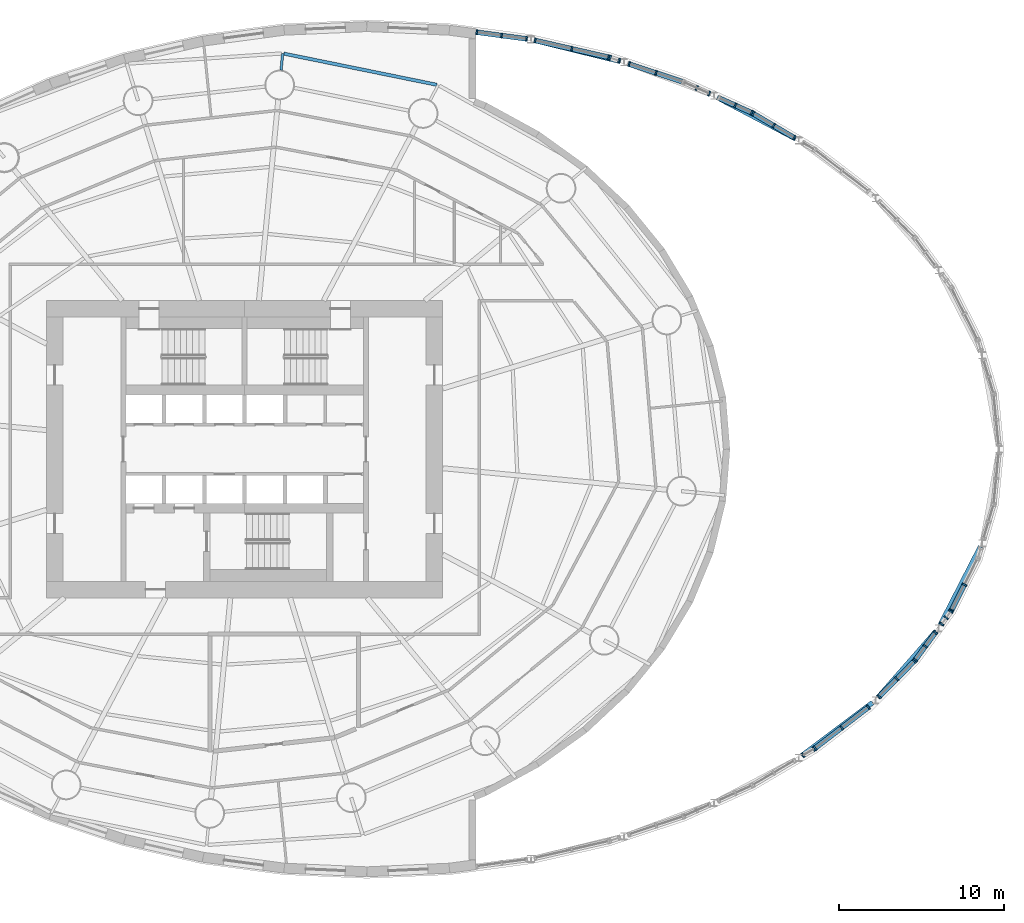
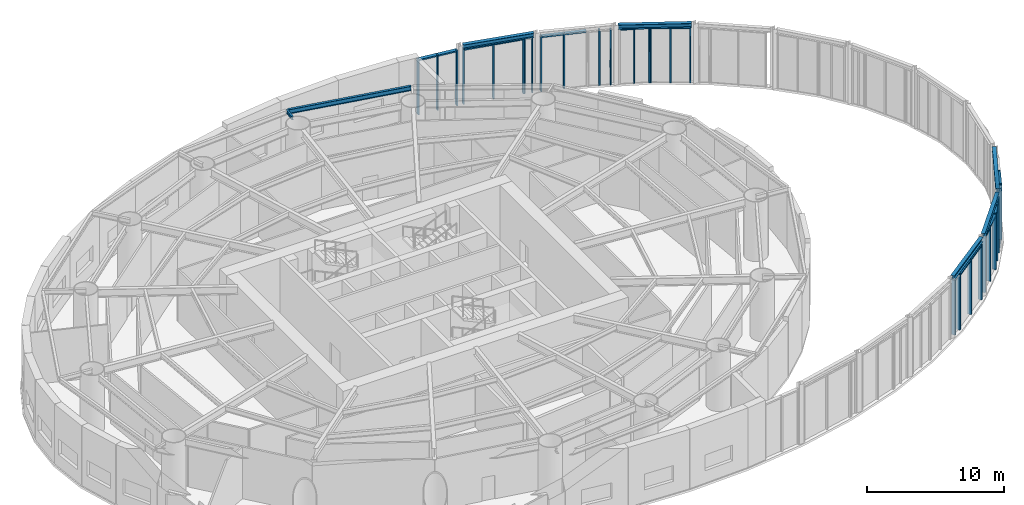
# One storey, part 7 of 19: 50 members, 7 beams, 13 elements without a shape of their own.
"""IFC4 building model written with IfcOpenShell, lengths in metres."""

from ifc_helpers import new_model, si_unit, direction, frame, origin, origin_2d, place, context, subcontext, project, spatial, rectangle, i_section, extrude, material, material_profile, profile_set, type_object, element, aggregate, save


model = new_model("IFC4")

# Units and contexts
model_context = context("Model", 3, precision=1e-05, world=origin(), true_north=direction((0.0, 1.0)))
body_context = subcontext(model_context, "Body", "Model", "MODEL_VIEW")
ifc_project = project(units=[si_unit("LENGTHUNIT", "METRE"), si_unit("AREAUNIT", "SQUARE_METRE"), si_unit("VOLUMEUNIT", "CUBIC_METRE"), si_unit("PLANEANGLEUNIT", "RADIAN"), si_unit("MASSUNIT", "GRAM", prefix="KILO")], contexts=[model_context])

# Site, building, storey
site_placement = place(None, origin())
site = spatial("IfcSite", under=ifc_project, at=site_placement, CompositionType="ELEMENT")
building_placement = place(site_placement, origin())
building = spatial("IfcBuilding", under=site, at=building_placement, Name="Vermilion Reach Broadcast Tower", CompositionType="ELEMENT")
storey_placement = place(building_placement, frame((0.0, 0.0, 26.0)))
storey = spatial("IfcBuildingStorey", under=building, at=storey_placement, Name="L03", CompositionType="ELEMENT", Elevation=26.0)

# Curtain wall, members
ifc_material_1 = material(Name="Low-e laminated clear glass in aluminium frame", Category="aluminium")
curtain_wall_type = type_object("IfcCurtainWallType", Name="Atrium outer wall curtain wall", PredefinedType="NOTDEFINED", material=ifc_material_1)
placement = place(storey_placement, origin())
curtain_wall_1 = element("IfcCurtainWall", 1, at=placement, inside=storey, type_object=curtain_wall_type, Name="Atrium wall L03 05-2", PredefinedType="NOTDEFINED")
ifc_material_2 = material(Name="Anodised aluminium", Category="aluminium")
ifc_material_profile_1 = material_profile(ifc_material_2, rectangle(XDim=0.300048828125, YDim=0.10009765625, at=origin_2d()), Name="Atrium outer wall mullion 100 x 300")
ifc_profile_set_1 = profile_set([ifc_material_profile_1], Name="Anodised aluminium")
member_type_1 = type_object("IfcMemberType", Name="Atrium outer wall mullion 100 x 300", PredefinedType="MULLION", material=ifc_profile_set_1)
member_1_placement = place(storey_placement, frame((27.849609375, -18.5361328125, 0.0), z_axis=(0.0, 0.0, 1.0), x_axis=(-0.508589622127, 0.861009057017, 0.0)))
member_1 = element("IfcMember", 2, at=member_1_placement, type_object=member_type_1, Name="Atrium wall mullion L03 05-2.1", PredefinedType="MULLION", context=body_context, shape_type="SweptSolid", body=[
    extrude(rectangle(XDim=0.300048828125, YDim=0.10009765625, at=origin_2d()), origin(), (0.0, 0.0, 1.0), 4.909912109375),
])
member_2_placement = place(storey_placement, frame((28.48388671875, -18.161376953125, 0.0), z_axis=(0.0, 0.0, 1.0), x_axis=(-0.508589622127, 0.861009057017, 0.0)))
member_2 = element("IfcMember", 3, at=member_2_placement, type_object=member_type_1, Name="Atrium wall mullion L03 05-2.2", PredefinedType="MULLION", context=body_context, shape_type="SweptSolid", body=[
    extrude(rectangle(XDim=0.300048828125, YDim=0.10009765625, at=origin_2d()), origin(), (0.0, 0.0, 1.0), 4.909912109375),
])
aggregate(curtain_wall_1, [member_1, member_2])

curtain_wall_2 = element("IfcCurtainWall", 4, at=placement, inside=storey, type_object=curtain_wall_type, Name="Atrium wall L03 06", PredefinedType="NOTDEFINED")
member_3_placement = place(storey_placement, frame((28.566650390625, -18.10546875, 0.0), z_axis=(0.0, 0.0, 1.0), x_axis=(-0.609113924113, 0.793082736826, 0.0)))
member_3 = element("IfcMember", 5, at=member_3_placement, type_object=member_type_1, Name="Atrium wall mullion L03 06.1", PredefinedType="MULLION", context=body_context, shape_type="SweptSolid", body=[
    extrude(rectangle(XDim=0.300048828125, YDim=0.10009765625, at=origin_2d()), origin(), (0.0, 0.0, 1.0), 4.909912109375),
])
member_4_placement = place(storey_placement, frame((30.17626953125, -16.869140625, 0.0), z_axis=(0.0, 0.0, 1.0), x_axis=(-0.609113924113, 0.793082736826, 0.0)))
member_4 = element("IfcMember", 6, at=member_4_placement, type_object=member_type_1, Name="Atrium wall mullion L03 06.2", PredefinedType="MULLION", context=body_context, shape_type="SweptSolid", body=[
    extrude(rectangle(XDim=0.300048828125, YDim=0.10009765625, at=origin_2d()), origin(), (0.0, 0.0, 1.0), 4.909912109375),
])
member_5_placement = place(storey_placement, frame((31.7861328125, -15.6328125, 0.0), z_axis=(0.0, 0.0, 1.0), x_axis=(-0.609113924113, 0.793082736826, 0.0)))
member_5 = element("IfcMember", 7, at=member_5_placement, type_object=member_type_1, Name="Atrium wall mullion L03 06.3", PredefinedType="MULLION", context=body_context, shape_type="SweptSolid", body=[
    extrude(rectangle(XDim=0.300048828125, YDim=0.10009765625, at=origin_2d()), origin(), (0.0, 0.0, 1.0), 4.909912109375),
])

curtain_wall_3 = element("IfcCurtainWall", 8, at=placement, inside=storey, type_object=curtain_wall_type, Name="Atrium wall L03 07", PredefinedType="NOTDEFINED")
member_6_placement = place(storey_placement, frame((32.43994140625, -14.983154296875, 0.0), z_axis=(0.0, 0.0, 1.0), x_axis=(-0.709925939614, 0.704276337997, 0.0)))
member_6 = element("IfcMember", 9, at=member_6_placement, type_object=member_type_1, Name="Atrium wall mullion L03 07.1", PredefinedType="MULLION", context=body_context, shape_type="SweptSolid", body=[
    extrude(rectangle(XDim=0.300048828125, YDim=0.10009765625, at=origin_2d()), origin(), (0.0, 0.0, 1.0), 4.909912109375),
])
member_7_placement = place(storey_placement, frame((33.5029296875, -13.911865234375, 0.0), z_axis=(0.0, 0.0, 1.0), x_axis=(-0.709925939614, 0.704276337997, 0.0)))
member_7 = element("IfcMember", 10, at=member_7_placement, type_object=member_type_1, Name="Atrium wall mullion L03 07.2", PredefinedType="MULLION", context=body_context, shape_type="SweptSolid", body=[
    extrude(rectangle(XDim=0.300048828125, YDim=0.10009765625, at=origin_2d()), origin(), (0.0, 0.0, 1.0), 4.909912109375),
])
member_8_placement = place(storey_placement, frame((34.56591796875, -12.84033203125, 0.0), z_axis=(0.0, 0.0, 1.0), x_axis=(-0.709925939614, 0.704276337997, 0.0)))
member_8 = element("IfcMember", 11, at=member_8_placement, type_object=member_type_1, Name="Atrium wall mullion L03 07.3", PredefinedType="MULLION", context=body_context, shape_type="SweptSolid", body=[
    extrude(rectangle(XDim=0.300048828125, YDim=0.10009765625, at=origin_2d()), origin(), (0.0, 0.0, 1.0), 4.909912109375),
])

curtain_wall_4 = element("IfcCurtainWall", 12, at=placement, inside=storey, type_object=curtain_wall_type, Name="Atrium wall L03 08-1", PredefinedType="NOTDEFINED")
member_9_placement = place(storey_placement, frame((34.630615234375, -12.764404296875, 0.0), z_axis=(0.0, 0.0, 1.0), x_axis=(-0.806847463604, 0.590759824697, 0.0)))
member_9 = element("IfcMember", 13, at=member_9_placement, type_object=member_type_1, Name="Atrium wall mullion L03 08-1.1", PredefinedType="MULLION", context=body_context, shape_type="SweptSolid", body=[
    extrude(rectangle(XDim=0.300048828125, YDim=0.10009765625, at=origin_2d()), origin(), (0.0, 0.0, 1.0), 4.909912109375),
])
member_10_placement = place(storey_placement, frame((35.236572265625, -11.936767578125, 0.0), z_axis=(0.0, 0.0, 1.0), x_axis=(-0.806847463604, 0.590759824697, 0.0)))
member_10 = element("IfcMember", 14, at=member_10_placement, type_object=member_type_1, Name="Atrium wall mullion L03 08-1.2", PredefinedType="MULLION", context=body_context, shape_type="SweptSolid", body=[
    extrude(rectangle(XDim=0.300048828125, YDim=0.10009765625, at=origin_2d()), origin(), (0.0, 0.0, 1.0), 4.909912109375),
])
member_11_placement = place(storey_placement, frame((35.8427734375, -11.109130859375, 0.0), z_axis=(0.0, 0.0, 1.0), x_axis=(-0.806847463604, 0.590759824697, 0.0)))
member_11 = element("IfcMember", 15, at=member_11_placement, type_object=member_type_1, Name="Atrium wall mullion L03 08-1.3", PredefinedType="MULLION", context=body_context, shape_type="SweptSolid", body=[
    extrude(rectangle(XDim=0.300048828125, YDim=0.10009765625, at=origin_2d()), origin(), (0.0, 0.0, 1.0), 4.909912109375),
])

curtain_wall_5 = element("IfcCurtainWall", 16, at=placement, inside=storey, type_object=curtain_wall_type, Name="Atrium wall L03 08-2", PredefinedType="NOTDEFINED")
member_12_placement = place(storey_placement, frame((36.2255859375, -10.586181640625, 0.0), z_axis=(0.0, 0.0, 1.0), x_axis=(-0.806847463604, 0.590759824697, 0.0)))
member_12 = element("IfcMember", 17, at=member_12_placement, type_object=member_type_1, Name="Atrium wall mullion L03 08-2.1", PredefinedType="MULLION", context=body_context, shape_type="SweptSolid", body=[
    extrude(rectangle(XDim=0.300048828125, YDim=0.10009765625, at=origin_2d()), origin(), (0.0, 0.0, 1.0), 4.909912109375),
])
member_13_placement = place(storey_placement, frame((36.501220703125, -10.209716796875, 0.0), z_axis=(0.0, 0.0, 1.0), x_axis=(-0.806847463604, 0.590759824697, 0.0)))
member_13 = element("IfcMember", 18, at=member_13_placement, type_object=member_type_1, Name="Atrium wall mullion L03 08-2.2", PredefinedType="MULLION", context=body_context, shape_type="SweptSolid", body=[
    extrude(rectangle(XDim=0.300048828125, YDim=0.10009765625, at=origin_2d()), origin(), (0.0, 0.0, 1.0), 4.909912109375),
])
member_14_placement = place(storey_placement, frame((36.777099609375, -9.8330078125, 0.0), z_axis=(0.0, 0.0, 1.0), x_axis=(-0.806847463604, 0.590759824697, 0.0)))
member_14 = element("IfcMember", 19, at=member_14_placement, type_object=member_type_1, Name="Atrium wall mullion L03 08-2.3", PredefinedType="MULLION", context=body_context, shape_type="SweptSolid", body=[
    extrude(rectangle(XDim=0.300048828125, YDim=0.10009765625, at=origin_2d()), origin(), (0.0, 0.0, 1.0), 4.909912109375),
])
aggregate(curtain_wall_5, [member_12, member_13, member_14])

curtain_wall_6 = element("IfcCurtainWall", 20, at=placement, inside=storey, type_object=curtain_wall_type, Name="Atrium wall L03 09", PredefinedType="NOTDEFINED")
member_15_placement = place(storey_placement, frame((36.8291015625, -9.748046875, 0.0), z_axis=(0.0, 0.0, 1.0), x_axis=(-0.892992378986, 0.450071784356, 0.0)))
member_15 = element("IfcMember", 21, at=member_15_placement, type_object=member_type_1, Name="Atrium wall mullion L03 09.1", PredefinedType="MULLION", context=body_context, shape_type="SweptSolid", body=[
    extrude(rectangle(XDim=0.300048828125, YDim=0.10009765625, at=origin_2d()), origin(), (0.0, 0.0, 1.0), 4.909912109375),
])
member_16_placement = place(storey_placement, frame((37.6064453125, -8.20556640625, 0.0), z_axis=(0.0, 0.0, 1.0), x_axis=(-0.892992378986, 0.450071784356, 0.0)))
member_16 = element("IfcMember", 22, at=member_16_placement, type_object=member_type_1, Name="Atrium wall mullion L03 09.2", PredefinedType="MULLION", context=body_context, shape_type="SweptSolid", body=[
    extrude(rectangle(XDim=0.300048828125, YDim=0.10009765625, at=origin_2d()), origin(), (0.0, 0.0, 1.0), 4.909912109375),
])

curtain_wall_7 = element("IfcCurtainWall", 23, at=placement, inside=storey, type_object=curtain_wall_type, Name="Atrium wall L03 18-2", PredefinedType="NOTDEFINED")
member_17_placement = place(storey_placement, frame((27.291748046875, 18.86572265625, 0.0), z_axis=(0.0, 0.0, 1.0), x_axis=(-0.508589622127, -0.861009057017, 0.0)))
member_17 = element("IfcMember", 24, at=member_17_placement, type_object=member_type_1, Name="Atrium wall mullion L03 18-2.1", PredefinedType="MULLION", context=body_context, shape_type="SweptSolid", body=[
    extrude(rectangle(XDim=0.300048828125, YDim=0.10009765625, at=origin_2d()), origin(), (0.0, 0.0, 1.0), 4.909912109375),
])
member_18_placement = place(storey_placement, frame((26.0478515625, 19.6005859375, 0.0), z_axis=(0.0, 0.0, 1.0), x_axis=(-0.508589622127, -0.861009057017, 0.0)))
member_18 = element("IfcMember", 25, at=member_18_placement, type_object=member_type_1, Name="Atrium wall mullion L03 18-2.2", PredefinedType="MULLION", context=body_context, shape_type="SweptSolid", body=[
    extrude(rectangle(XDim=0.300048828125, YDim=0.10009765625, at=origin_2d()), origin(), (0.0, 0.0, 1.0), 4.909912109375),
])
member_19_placement = place(storey_placement, frame((24.8037109375, 20.33544921875, 0.0), z_axis=(0.0, 0.0, 1.0), x_axis=(-0.508589622127, -0.861009057017, 0.0)))
member_19 = element("IfcMember", 26, at=member_19_placement, type_object=member_type_1, Name="Atrium wall mullion L03 18-2.3", PredefinedType="MULLION", context=body_context, shape_type="SweptSolid", body=[
    extrude(rectangle(XDim=0.300048828125, YDim=0.10009765625, at=origin_2d()), origin(), (0.0, 0.0, 1.0), 4.909912109375),
])

curtain_wall_8 = element("IfcCurtainWall", 27, at=placement, inside=storey, type_object=curtain_wall_type, Name="Atrium wall L03 19-1", PredefinedType="NOTDEFINED")
member_20_placement = place(storey_placement, frame((24.715087890625, 20.38134765625, 0.0), z_axis=(0.0, 0.0, 1.0), x_axis=(-0.410407876277, -0.911902064418, 0.0)))
member_20 = element("IfcMember", 28, at=member_20_placement, type_object=member_type_1, Name="Atrium wall mullion L03 19-1.1", PredefinedType="MULLION", context=body_context, shape_type="SweptSolid", body=[
    extrude(rectangle(XDim=0.300048828125, YDim=0.10009765625, at=origin_2d()), origin(), (0.0, 0.0, 1.0), 4.909912109375),
])
member_21_placement = place(storey_placement, frame((23.720947265625, 20.82861328125, 0.0), z_axis=(0.0, 0.0, 1.0), x_axis=(-0.410407876277, -0.911902064418, 0.0)))
member_21 = element("IfcMember", 29, at=member_21_placement, type_object=member_type_1, Name="Atrium wall mullion L03 19-1.2", PredefinedType="MULLION", context=body_context, shape_type="SweptSolid", body=[
    extrude(rectangle(XDim=0.300048828125, YDim=0.10009765625, at=origin_2d()), origin(), (0.0, 0.0, 1.0), 4.909912109375),
])

curtain_wall_9 = element("IfcCurtainWall", 30, at=placement, inside=storey, type_object=curtain_wall_type, Name="Atrium wall L03 19-2", PredefinedType="NOTDEFINED")
member_22_placement = place(storey_placement, frame((22.1357421875, 21.5419921875, 0.0), z_axis=(0.0, 0.0, 1.0), x_axis=(-0.410407876277, -0.911902064418, 0.0)))
member_22 = element("IfcMember", 31, at=member_22_placement, type_object=member_type_1, Name="Atrium wall mullion L03 19-2.1", PredefinedType="MULLION", context=body_context, shape_type="SweptSolid", body=[
    extrude(rectangle(XDim=0.300048828125, YDim=0.10009765625, at=origin_2d()), origin(), (0.0, 0.0, 1.0), 4.909912109375),
])
member_23_placement = place(storey_placement, frame((21.386474609375, 21.87939453125, 0.0), z_axis=(0.0, 0.0, 1.0), x_axis=(-0.410407876277, -0.911902064418, 0.0)))
member_23 = element("IfcMember", 32, at=member_23_placement, type_object=member_type_1, Name="Atrium wall mullion L03 19-2.2", PredefinedType="MULLION", context=body_context, shape_type="SweptSolid", body=[
    extrude(rectangle(XDim=0.300048828125, YDim=0.10009765625, at=origin_2d()), origin(), (0.0, 0.0, 1.0), 4.909912109375),
])
aggregate(curtain_wall_9, [member_22, member_23])

curtain_wall_10 = element("IfcCurtainWall", 33, at=placement, inside=storey, type_object=curtain_wall_type, Name="Atrium wall L03 20-1", PredefinedType="NOTDEFINED")
member_24_placement = place(storey_placement, frame((18.91796875, 22.79296875, 0.0), z_axis=(0.0, 0.0, 1.0), x_axis=(-0.315228098746, -0.949015935462, 0.0)))
member_24 = element("IfcMember", 34, at=member_24_placement, type_object=member_type_1, Name="Atrium wall mullion L03 20-1.2", PredefinedType="MULLION", context=body_context, shape_type="SweptSolid", body=[
    extrude(rectangle(XDim=0.300048828125, YDim=0.10009765625, at=origin_2d()), origin(), (0.0, 0.0, 1.0), 4.909912109375),
])
member_25_placement = place(storey_placement, frame((17.2919921875, 23.3330078125, 0.0), z_axis=(0.0, 0.0, 1.0), x_axis=(-0.315228098746, -0.949015935462, 0.0)))
member_25 = element("IfcMember", 35, at=member_25_placement, type_object=member_type_1, Name="Atrium wall mullion L03 20-1.3", PredefinedType="MULLION", context=body_context, shape_type="SweptSolid", body=[
    extrude(rectangle(XDim=0.300048828125, YDim=0.10009765625, at=origin_2d()), origin(), (0.0, 0.0, 1.0), 4.909912109375),
])

curtain_wall_11 = element("IfcCurtainWall", 36, at=placement, inside=storey, type_object=curtain_wall_type, Name="Atrium wall L03 20-2", PredefinedType="NOTDEFINED")
member_26_placement = place(storey_placement, frame((16.67724609375, 23.537353515625, 0.0), z_axis=(0.0, 0.0, 1.0), x_axis=(-0.315228098746, -0.949015935462, 0.0)))
member_26 = element("IfcMember", 37, at=member_26_placement, type_object=member_type_1, Name="Atrium wall mullion L03 20-2.1", PredefinedType="MULLION", context=body_context, shape_type="SweptSolid", body=[
    extrude(rectangle(XDim=0.300048828125, YDim=0.10009765625, at=origin_2d()), origin(), (0.0, 0.0, 1.0), 4.909912109375),
])
member_27_placement = place(storey_placement, frame((16.138427734375, 23.71630859375, 0.0), z_axis=(0.0, 0.0, 1.0), x_axis=(-0.315228098746, -0.949015935462, 0.0)))
member_27 = element("IfcMember", 38, at=member_27_placement, type_object=member_type_1, Name="Atrium wall mullion L03 20-2.2", PredefinedType="MULLION", context=body_context, shape_type="SweptSolid", body=[
    extrude(rectangle(XDim=0.300048828125, YDim=0.10009765625, at=origin_2d()), origin(), (0.0, 0.0, 1.0), 4.909912109375),
])
aggregate(curtain_wall_11, [member_26, member_27])

curtain_wall_12 = element("IfcCurtainWall", 39, at=placement, inside=storey, type_object=curtain_wall_type, Name="Atrium wall L03 21", PredefinedType="NOTDEFINED")
member_28_placement = place(storey_placement, frame((16.042236328125, 23.7431640625, 0.0), z_axis=(0.0, 0.0, 1.0), x_axis=(-0.222891523278, -0.974843253478, 0.0)))
member_28 = element("IfcMember", 40, at=member_28_placement, type_object=member_type_1, Name="Atrium wall mullion L03 21.1", PredefinedType="MULLION", context=body_context, shape_type="SweptSolid", body=[
    extrude(rectangle(XDim=0.300048828125, YDim=0.10009765625, at=origin_2d()), origin(), (0.0, 0.0, 1.0), 4.909912109375),
])
member_29_placement = place(storey_placement, frame((13.818359375, 24.251708984375, 0.0), z_axis=(0.0, 0.0, 1.0), x_axis=(-0.222891523278, -0.974843253478, 0.0)))
member_29 = element("IfcMember", 41, at=member_29_placement, type_object=member_type_1, Name="Atrium wall mullion L03 21.2", PredefinedType="MULLION", context=body_context, shape_type="SweptSolid", body=[
    extrude(rectangle(XDim=0.300048828125, YDim=0.10009765625, at=origin_2d()), origin(), (0.0, 0.0, 1.0), 4.909912109375),
])
member_30_placement = place(storey_placement, frame((11.594482421875, 24.760009765625, 0.0), z_axis=(0.0, 0.0, 1.0), x_axis=(-0.222891523278, -0.974843253478, 0.0)))
member_30 = element("IfcMember", 42, at=member_30_placement, type_object=member_type_1, Name="Atrium wall mullion L03 21.3", PredefinedType="MULLION", context=body_context, shape_type="SweptSolid", body=[
    extrude(rectangle(XDim=0.300048828125, YDim=0.10009765625, at=origin_2d()), origin(), (0.0, 0.0, 1.0), 4.909912109375),
])

curtain_wall_13 = element("IfcCurtainWall", 43, at=placement, inside=storey, type_object=curtain_wall_type, Name="Atrium wall L03 22", PredefinedType="NOTDEFINED")
member_31_placement = place(storey_placement, frame((11.075439453125, 24.85400390625, 0.0), z_axis=(0.0, 0.0, 1.0), x_axis=(-0.132793713723, -0.991143697753, 0.0)))
member_31 = element("IfcMember", 44, at=member_31_placement, type_object=member_type_1, Name="Atrium wall mullion L03 22.1", PredefinedType="MULLION", context=body_context, shape_type="SweptSolid", body=[
    extrude(rectangle(XDim=0.300048828125, YDim=0.10009765625, at=origin_2d()), origin(), (0.0, 0.0, 1.0), 4.909912109375),
])
member_32_placement = place(storey_placement, frame((9.569091796875, 25.055908203125, 0.0), z_axis=(0.0, 0.0, 1.0), x_axis=(-0.132793713723, -0.991143697753, 0.0)))
member_32 = element("IfcMember", 45, at=member_32_placement, type_object=member_type_1, Name="Atrium wall mullion L03 22.2", PredefinedType="MULLION", context=body_context, shape_type="SweptSolid", body=[
    extrude(rectangle(XDim=0.300048828125, YDim=0.10009765625, at=origin_2d()), origin(), (0.0, 0.0, 1.0), 4.909912109375),
])
member_33_placement = place(storey_placement, frame((8.062744140625, 25.257568359375, 0.0), z_axis=(0.0, 0.0, 1.0), x_axis=(-0.132793713723, -0.991143697753, 0.0)))
member_33 = element("IfcMember", 46, at=member_33_placement, type_object=member_type_1, Name="Atrium wall mullion L03 22.3", PredefinedType="MULLION", context=body_context, shape_type="SweptSolid", body=[
    extrude(rectangle(XDim=0.300048828125, YDim=0.10009765625, at=origin_2d()), origin(), (0.0, 0.0, 1.0), 4.909912109375),
])

# Member
ifc_material_3 = material(Name="Anodised aluminium", Category="aluminium")
ifc_material_profile_2 = material_profile(ifc_material_3, rectangle(XDim=0.300048828125, YDim=0.1201171875, at=origin_2d()), Name="Atrium outer wall transom 300 x 120")
ifc_profile_set_2 = profile_set([ifc_material_profile_2], Name="Anodised aluminium")
member_type_2 = type_object("IfcMemberType", Name="Atrium outer wall transom 300 x 120", PredefinedType="USERDEFINED", material=ifc_profile_set_2)
member_34_placement = place(storey_placement, frame((28.606201171875, -18.0751953125, 4.85009765625), z_axis=(0.79307054721, 0.609129794993, 0.0), x_axis=(-0.609129794993, 0.79307054721, 0.0)))
member_34 = element("IfcMember", 47, at=member_34_placement, type_object=member_type_2, Name="Atrium wall transom L03 06.1.2", ObjectType="TRANSOM", PredefinedType="USERDEFINED", context=body_context, shape_type="SweptSolid", body=[
    extrude(rectangle(XDim=0.300048828125, YDim=0.1201171875, at=origin_2d()), origin(), (0.0, 0.0, 1.0), 1.929931640625),
])

member_35_placement = place(storey_placement, frame((30.216064453125, -16.8388671875, 4.85009765625), z_axis=(0.79307054721, 0.609129794993, 0.0), x_axis=(-0.609129794993, 0.79307054721, 0.0)))
member_35 = element("IfcMember", 48, at=member_35_placement, type_object=member_type_2, Name="Atrium wall transom L03 06.2.2", ObjectType="TRANSOM", PredefinedType="USERDEFINED", context=body_context, shape_type="SweptSolid", body=[
    extrude(rectangle(XDim=0.300048828125, YDim=0.1201171875, at=origin_2d()), origin(), (0.0, 0.0, 1.0), 1.929931640625),
])

aggregate(curtain_wall_2, [member_3, member_4, member_5, member_34, member_35])

member_36_placement = place(storey_placement, frame((32.475341796875, -14.94775390625, 4.85009765625), z_axis=(0.704242454473, 0.709959551889, 0.0), x_axis=(-0.709959551889, 0.704242454473, 0.0)))
member_36 = element("IfcMember", 49, at=member_36_placement, type_object=member_type_2, Name="Atrium wall transom L03 07.1.2", ObjectType="TRANSOM", PredefinedType="USERDEFINED", context=body_context, shape_type="SweptSolid", body=[
    extrude(rectangle(XDim=0.300048828125, YDim=0.1201171875, at=origin_2d()), origin(), (0.0, 0.0, 1.0), 1.4091796875),
])

member_37_placement = place(storey_placement, frame((33.5380859375, -13.876220703125, 4.85009765625), z_axis=(0.704329761537, 0.709872937231, 0.0), x_axis=(-0.709872937231, 0.704329761537, 0.0)))
member_37 = element("IfcMember", 50, at=member_37_placement, type_object=member_type_2, Name="Atrium wall transom L03 07.2.2", ObjectType="TRANSOM", PredefinedType="USERDEFINED", context=body_context, shape_type="SweptSolid", body=[
    extrude(rectangle(XDim=0.300048828125, YDim=0.1201171875, at=origin_2d()), origin(), (0.0, 0.0, 1.0), 1.409423828125),
])

aggregate(curtain_wall_3, [member_6, member_7, member_8, member_36, member_37])

member_38_placement = place(storey_placement, frame((34.66015625, -12.72412109375, 4.85009765625), z_axis=(0.590677537, 0.806907706794, 0.0), x_axis=(-0.806907706794, 0.590677537, 0.0)))
member_38 = element("IfcMember", 51, at=member_38_placement, type_object=member_type_2, Name="Atrium wall transom L03 08-1.1.2", ObjectType="TRANSOM", PredefinedType="USERDEFINED", context=body_context, shape_type="SweptSolid", body=[
    extrude(rectangle(XDim=0.300048828125, YDim=0.1201171875, at=origin_2d()), origin(), (0.0, 0.0, 1.0), 0.92578125),
])

member_39_placement = place(storey_placement, frame((35.26611328125, -11.896484375, 4.85009765625), z_axis=(0.590849188932, 0.806782025047, 0.0), x_axis=(-0.806782025047, 0.590849188932, 0.0)))
member_39 = element("IfcMember", 52, at=member_39_placement, type_object=member_type_2, Name="Atrium wall transom L03 08-1.2.2", ObjectType="TRANSOM", PredefinedType="USERDEFINED", context=body_context, shape_type="SweptSolid", body=[
    extrude(rectangle(XDim=0.300048828125, YDim=0.1201171875, at=origin_2d()), origin(), (0.0, 0.0, 1.0), 0.926025390625),
])

aggregate(curtain_wall_4, [member_9, member_10, member_11, member_38, member_39])

member_40_placement = place(storey_placement, frame((36.8515625, -9.703369140625, 4.85009765625), z_axis=(0.450091864122, 0.892982258419, 0.0), x_axis=(-0.892982258419, 0.450091864122, 0.0)))
member_40 = element("IfcMember", 53, at=member_40_placement, type_object=member_type_2, Name="Atrium wall transom L03 09.1.2", ObjectType="TRANSOM", PredefinedType="USERDEFINED", context=body_context, shape_type="SweptSolid", body=[
    extrude(rectangle(XDim=0.300048828125, YDim=0.1201171875, at=origin_2d()), origin(), (0.0, 0.0, 1.0), 1.627197265625),
])

aggregate(curtain_wall_6, [member_15, member_16, member_40])

member_41_placement = place(storey_placement, frame((27.248779296875, 18.89111328125, 4.85009765625), z_axis=(-0.861060223376, 0.508502990866, 0.0), x_axis=(-0.508502990866, -0.861060223376, 0.0)))
member_41 = element("IfcMember", 54, at=member_41_placement, type_object=member_type_2, Name="Atrium wall transom L03 18-2.1.2", ObjectType="TRANSOM", PredefinedType="USERDEFINED", context=body_context, shape_type="SweptSolid", body=[
    extrude(rectangle(XDim=0.300048828125, YDim=0.1201171875, at=origin_2d()), origin(), (0.0, 0.0, 1.0), 1.3447265625),
])

member_42_placement = place(storey_placement, frame((26.004638671875, 19.6259765625, 4.85009765625), z_axis=(-0.861060223376, 0.508502990866, 0.0), x_axis=(-0.508502990866, -0.861060223376, 0.0)))
member_42 = element("IfcMember", 55, at=member_42_placement, type_object=member_type_2, Name="Atrium wall transom L03 18-2.2.2", ObjectType="TRANSOM", PredefinedType="USERDEFINED", context=body_context, shape_type="SweptSolid", body=[
    extrude(rectangle(XDim=0.300048828125, YDim=0.1201171875, at=origin_2d()), origin(), (0.0, 0.0, 1.0), 1.3447265625),
])

aggregate(curtain_wall_7, [member_17, member_18, member_19, member_41, member_42])

member_43_placement = place(storey_placement, frame((24.66943359375, 20.40185546875, 4.85009765625), z_axis=(-0.911972242519, 0.410251909044, 0.0), x_axis=(-0.410251909044, -0.911972242519, 0.0)))
member_43 = element("IfcMember", 56, at=member_43_placement, type_object=member_type_2, Name="Atrium wall transom L03 19-1.1.2", ObjectType="TRANSOM", PredefinedType="USERDEFINED", context=body_context, shape_type="SweptSolid", body=[
    extrude(rectangle(XDim=0.300048828125, YDim=0.1201171875, at=origin_2d()), origin(), (0.0, 0.0, 1.0), 0.990234375),
])

member_44_placement = place(storey_placement, frame((23.67529296875, 20.84912109375, 4.85009765625), z_axis=(-0.911879986632, 0.410456928289, 0.0), x_axis=(-0.410456928289, -0.911879986632, 0.0)))
member_44 = element("IfcMember", 57, at=member_44_placement, type_object=member_type_2, Name="Atrium wall transom L03 19-1.2.2", ObjectType="TRANSOM", PredefinedType="USERDEFINED", context=body_context, shape_type="SweptSolid", body=[
    extrude(rectangle(XDim=0.300048828125, YDim=0.1201171875, at=origin_2d()), origin(), (0.0, 0.0, 1.0), 0.990234375),
])

aggregate(curtain_wall_8, [member_20, member_21, member_43, member_44])

member_45_placement = place(storey_placement, frame((20.49658203125, 22.2685546875, 4.85009765625), z_axis=(-0.949015707131, 0.315228786151, 0.0), x_axis=(-0.315228786151, -0.949015707131, 0.0)))
member_45 = element("IfcMember", 58, at=member_45_placement, type_object=member_type_2, Name="Atrium wall transom L03 20-1.1.2", ObjectType="TRANSOM", PredefinedType="USERDEFINED", context=body_context, shape_type="SweptSolid", body=[
    extrude(rectangle(XDim=0.300048828125, YDim=0.1201171875, at=origin_2d()), origin(), (0.0, 0.0, 1.0), 1.61328125),
])

member_46_placement = place(storey_placement, frame((18.87060546875, 22.808837890625, 4.85009765625), z_axis=(-0.949015707131, 0.315228786151, 0.0), x_axis=(-0.315228786151, -0.949015707131, 0.0)))
member_46 = element("IfcMember", 59, at=member_46_placement, type_object=member_type_2, Name="Atrium wall transom L03 20-1.2.2", ObjectType="TRANSOM", PredefinedType="USERDEFINED", context=body_context, shape_type="SweptSolid", body=[
    extrude(rectangle(XDim=0.300048828125, YDim=0.1201171875, at=origin_2d()), origin(), (0.0, 0.0, 1.0), 1.61328125),
])

aggregate(curtain_wall_10, [member_24, member_25, member_45, member_46])

member_47_placement = place(storey_placement, frame((15.99365234375, 23.75439453125, 4.85009765625), z_axis=(-0.97485503326, 0.222839996696, 0.0), x_axis=(-0.222839996696, -0.97485503326, 0.0)))
member_47 = element("IfcMember", 60, at=member_47_placement, type_object=member_type_2, Name="Atrium wall transom L03 21.1.2", ObjectType="TRANSOM", PredefinedType="USERDEFINED", context=body_context, shape_type="SweptSolid", body=[
    extrude(rectangle(XDim=0.300048828125, YDim=0.1201171875, at=origin_2d()), origin(), (0.0, 0.0, 1.0), 2.181396484375),
])

member_48_placement = place(storey_placement, frame((13.769775390625, 24.2626953125, 4.85009765625), z_axis=(-0.97483071414, 0.222946358504, 0.0), x_axis=(-0.222946358504, -0.97483071414, 0.0)))
member_48 = element("IfcMember", 61, at=member_48_placement, type_object=member_type_2, Name="Atrium wall transom L03 21.2.2", ObjectType="TRANSOM", PredefinedType="USERDEFINED", context=body_context, shape_type="SweptSolid", body=[
    extrude(rectangle(XDim=0.300048828125, YDim=0.1201171875, at=origin_2d()), origin(), (0.0, 0.0, 1.0), 2.181396484375),
])

aggregate(curtain_wall_12, [member_28, member_29, member_30, member_47, member_48])

member_49_placement = place(storey_placement, frame((11.02587890625, 24.860595703125, 4.85009765625), z_axis=(-0.991149634463, 0.132749395872, 0.0), x_axis=(-0.132749395872, -0.991149634463, 0.0)))
member_49 = element("IfcMember", 62, at=member_49_placement, type_object=member_type_2, Name="Atrium wall transom L03 22.1.2", ObjectType="TRANSOM", PredefinedType="USERDEFINED", context=body_context, shape_type="SweptSolid", body=[
    extrude(rectangle(XDim=0.300048828125, YDim=0.1201171875, at=origin_2d()), origin(), (0.0, 0.0, 1.0), 1.419677734375),
])

member_50_placement = place(storey_placement, frame((9.51953125, 25.0625, 4.85009765625), z_axis=(-0.991149634463, 0.132749395872, 0.0), x_axis=(-0.132749395872, -0.991149634463, 0.0)))
member_50 = element("IfcMember", 63, at=member_50_placement, type_object=member_type_2, Name="Atrium wall transom L03 22.2.2", ObjectType="TRANSOM", PredefinedType="USERDEFINED", context=body_context, shape_type="SweptSolid", body=[
    extrude(rectangle(XDim=0.300048828125, YDim=0.1201171875, at=origin_2d()), origin(), (0.0, 0.0, 1.0), 1.419677734375),
])

aggregate(curtain_wall_13, [member_31, member_32, member_33, member_49, member_50])

# Beams
ifc_material_4 = material(Name="Steel S355J2", Category="steel")
ifc_material_profile_3 = material_profile(ifc_material_4, i_section(OverallWidth=0.199951171875, OverallDepth=0.39990234375, WebThickness=0.008056640625, FlangeThickness=0.012939453125, at=origin_2d()), Name="S355J2 HN 400x200x8x13")
ifc_profile_set_3 = profile_set([ifc_material_profile_3], Name="Steel S355J2")
beam_type_1 = type_object("IfcBeamType", Name="EB1 HN 400x200x8x13", PredefinedType="BEAM", material=ifc_profile_set_3)
beam_1_placement = place(storey_placement, frame((5.64697265625, 22.07373046875, 5.10009765625), z_axis=(-0.979888700242, 0.199544819871, 0.0), x_axis=(-0.199544819871, -0.979888700242, 0.0)))
element("IfcBeam", 64, at=beam_1_placement, inside=storey, type_object=beam_type_1, Name="Edge beam EB1-03", PredefinedType="BEAM", context=body_context, shape_type="SweptSolid", body=[
    extrude(i_section(OverallWidth=0.199951171875, OverallDepth=0.39990234375, WebThickness=0.008056640625, FlangeThickness=0.012939453125, at=origin_2d()), origin(), (0.0, 0.0, 1.0), 9.458740234375),
])
ifc_material_5 = material(Name="Steel S355J2", Category="steel")
ifc_material_profile_4 = material_profile(ifc_material_5, i_section(OverallWidth=0.14990234375, OverallDepth=0.300048828125, WebThickness=0.006591796875, FlangeThickness=0.009033203125, at=origin_2d()), Name="S355J2 HN 300x150x6.5x9")
ifc_profile_set_4 = profile_set([ifc_material_profile_4], Name="Steel S355J2")
beam_type_2 = type_object("IfcBeamType", Name="GS1 HN 300x150x6.5x9", PredefinedType="BEAM", material=ifc_profile_set_4)
beam_2_placement = place(storey_placement, frame((-3.793212890625, 22.959716796875, 5.14990234375), z_axis=(0.095621304963, 0.99541778467, 0.0), x_axis=(-0.99541778467, 0.095621304963, 0.0)))
element("IfcBeam", 65, at=beam_2_placement, inside=storey, type_object=beam_type_2, Name="Cantilever stub GS1-04", PredefinedType="BEAM", context=body_context, shape_type="SweptSolid", body=[
    extrude(i_section(OverallWidth=0.14990234375, OverallDepth=0.300048828125, WebThickness=0.006591796875, FlangeThickness=0.009033203125, at=origin_2d()), origin(), (0.0, 0.0, 1.0), 1.021240234375),
])
ifc_material_6 = material(Name="Steel S355J2", Category="steel")
ifc_material_profile_5 = material_profile(ifc_material_6, i_section(OverallWidth=0.300048828125, OverallDepth=0.389892578125, WebThickness=0.010009765625, FlangeThickness=0.01611328125, at=origin_2d()), Name="S355J2 HM 390x300x10x16")
ifc_profile_set_5 = profile_set([ifc_material_profile_5], Name="Steel S355J2")
beam_type_3 = type_object("IfcBeamType", Name="RM1 HM 390x300x10x16", PredefinedType="BEAM", material=ifc_profile_set_5)
beam_3_placement = place(storey_placement, frame((27.74658203125, -18.568603515625, 5.10498046875), z_axis=(0.799426308376, 0.600764161278, 0.0), x_axis=(-0.600764161278, 0.799426308376, 0.0)))
element("IfcBeam", 66, at=beam_3_placement, inside=storey, type_object=beam_type_3, Name="Rim beam AP04-AP05", PredefinedType="BEAM", context=body_context, shape_type="SweptSolid", body=[
    extrude(i_section(OverallWidth=0.300048828125, OverallDepth=0.389892578125, WebThickness=0.010009765625, FlangeThickness=0.01611328125, at=origin_2d()), origin(), (0.0, 0.0, 1.0), 5.365478515625),
])
beam_4_placement = place(storey_placement, frame((32.356689453125, -15.047607421875, 5.10498046875), z_axis=(0.658704425983, 0.752401807009, 0.0), x_axis=(-0.752401807009, 0.658704425983, 0.0)))
element("IfcBeam", 67, at=beam_4_placement, inside=storey, type_object=beam_type_3, Name="Rim beam AP05-AP06", PredefinedType="BEAM", context=body_context, shape_type="SweptSolid", body=[
    extrude(i_section(OverallWidth=0.300048828125, OverallDepth=0.389892578125, WebThickness=0.010009765625, FlangeThickness=0.01611328125, at=origin_2d()), origin(), (0.0, 0.0, 1.0), 5.3623046875),
])
beam_5_placement = place(storey_placement, frame((36.13427734375, -10.65185546875, 5.10498046875), z_axis=(0.456870131235, 0.889533407571, 0.0), x_axis=(-0.889533407571, 0.456870131235, 0.0)))
element("IfcBeam", 68, at=beam_5_placement, inside=storey, type_object=beam_type_3, Name="Rim beam AP06-AP07", PredefinedType="BEAM", context=body_context, shape_type="SweptSolid", body=[
    extrude(i_section(OverallWidth=0.300048828125, OverallDepth=0.389892578125, WebThickness=0.010009765625, FlangeThickness=0.01611328125, at=origin_2d()), origin(), (0.0, 0.0, 1.0), 5.345458984375),
])
beam_6_placement = place(storey_placement, frame((27.3759765625, 18.80322265625, 5.10498046875), z_axis=(-0.884684356477, 0.46619050763, 0.0), x_axis=(-0.46619050763, -0.884684356477, 0.0)))
element("IfcBeam", 69, at=beam_6_placement, inside=storey, type_object=beam_type_3, Name="Rim beam AP12-AP13", PredefinedType="BEAM", context=body_context, shape_type="SweptSolid", body=[
    extrude(i_section(OverallWidth=0.300048828125, OverallDepth=0.389892578125, WebThickness=0.010009765625, FlangeThickness=0.01611328125, at=origin_2d()), origin(), (0.0, 0.0, 1.0), 5.369384765625),
])
beam_7_placement = place(storey_placement, frame((16.77099609375, 23.487548828125, 5.10498046875), z_axis=(-0.97127010403, 0.237979799598, 0.0), x_axis=(-0.237979799598, -0.97127010403, 0.0)))
element("IfcBeam", 70, at=beam_7_placement, inside=storey, type_object=beam_type_3, Name="Rim beam AP14-AP15", PredefinedType="BEAM", context=body_context, shape_type="SweptSolid", body=[
    extrude(i_section(OverallWidth=0.300048828125, OverallDepth=0.389892578125, WebThickness=0.010009765625, FlangeThickness=0.01611328125, at=origin_2d()), origin(), (0.0, 0.0, 1.0), 5.37451171875),
])

save(model, "model.ifc")
